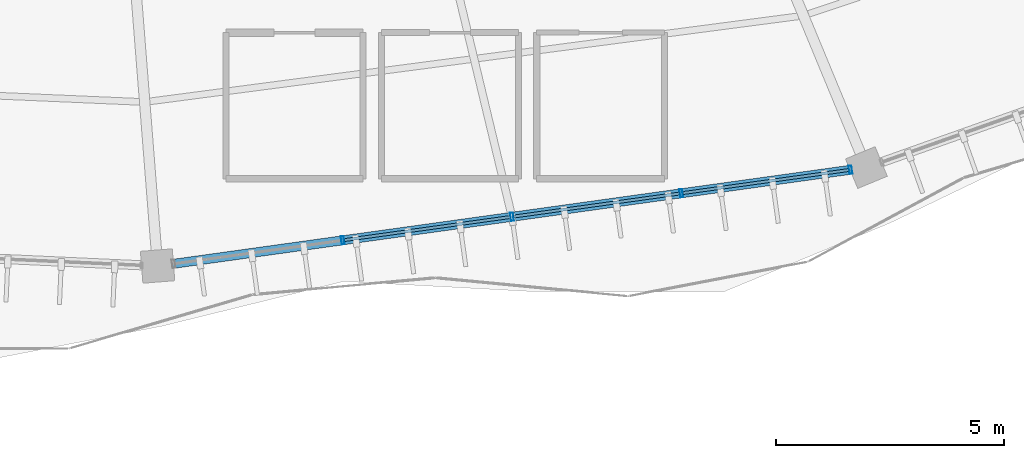
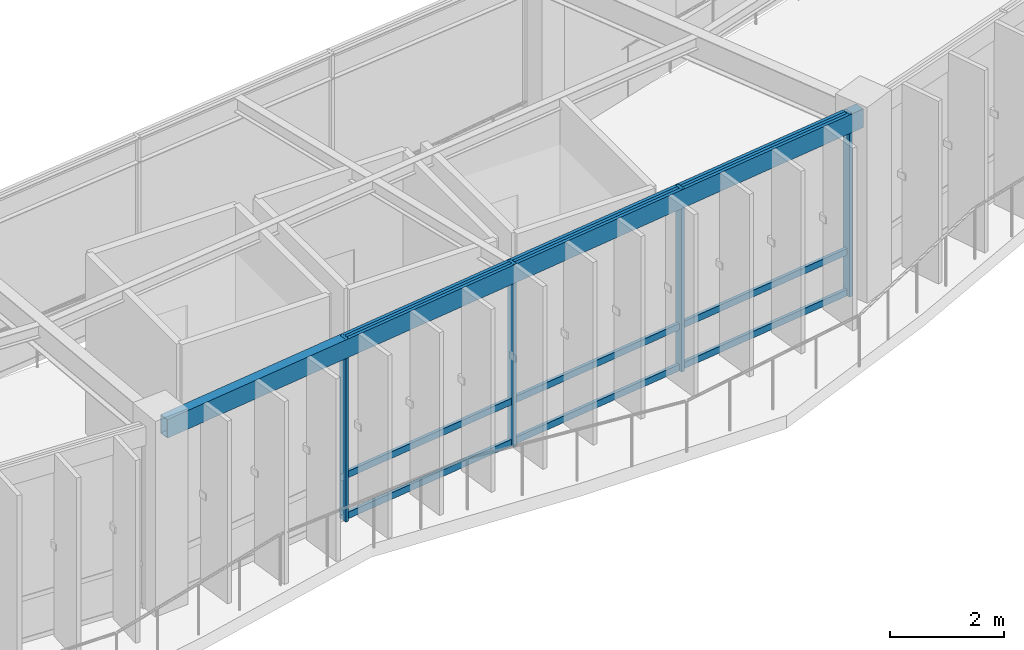
# One storey, part 30 of 138: 13 members, 1 beam, 1 element without a shape of its own.
"""IFC4 building model written with IfcOpenShell, lengths in metres."""

from ifc_helpers import new_model, si_unit, direction, frame, origin, origin_2d, place, context, subcontext, project, spatial, hollow_rectangle, extrude, material, material_profile, profile_set, type_object, element, aggregate, save


model = new_model("IFC4")

# Units and contexts
model_context = context("Model", 3, precision=1e-05, world=origin(), true_north=direction((0.0, 1.0)))
body_context = subcontext(model_context, "Body", "Model", "MODEL_VIEW")
ifc_project = project(units=[si_unit("LENGTHUNIT", "METRE"), si_unit("AREAUNIT", "SQUARE_METRE"), si_unit("VOLUMEUNIT", "CUBIC_METRE"), si_unit("PLANEANGLEUNIT", "RADIAN"), si_unit("MASSUNIT", "GRAM", prefix="KILO"), si_unit("THERMODYNAMICTEMPERATUREUNIT", "KELVIN"), si_unit("POWERUNIT", "WATT")], contexts=[model_context])

# Site, building, storey
site_placement = place(None, origin())
site = spatial("IfcSite", under=ifc_project, at=site_placement, CompositionType="ELEMENT")
building_placement = place(site_placement, origin())
building = spatial("IfcBuilding", under=site, at=building_placement, Name="Darbajah Civic Hall", CompositionType="ELEMENT")
storey_placement = place(building_placement, frame((0.0, 0.0, 9.60009765625)))
storey = spatial("IfcBuildingStorey", under=building, at=storey_placement, Name="L02", CompositionType="ELEMENT", Elevation=9.60009765625)

# Curtain wall, members
ifc_material_1 = material(Name="Anodised Bronze Aluminium and Low-E Glazing", Category="aluminium")
curtain_wall_type = type_object("IfcCurtainWallType", Name="Unitised Curtain Wall CW-49 15000x3900", PredefinedType="USERDEFINED", material=ifc_material_1)
curtain_wall_placement = place(storey_placement, origin())
curtain_wall = element("IfcCurtainWall", 1, at=curtain_wall_placement, inside=storey, type_object=curtain_wall_type, Name="L02 unitised curtain wall CW-V1O-L02-15", ObjectType="UNITISED CURTAIN WALL", PredefinedType="USERDEFINED")
ifc_material_2 = material(Name="Anodised Bronze Aluminium", Category="aluminium")
ifc_material_profile_1 = material_profile(ifc_material_2, hollow_rectangle(XDim=0.06494140625, YDim=0.179931640625, WallThickness=0.00390625, at=origin_2d()), Name="ALU MULLION 65x180")
ifc_profile_set_1 = profile_set([ifc_material_profile_1], Name="Anodised Bronze Aluminium")
member_type_1 = type_object("IfcMemberType", Name="ALU MULLION 65x180", PredefinedType="MULLION", material=ifc_profile_set_1)
member_1_placement = place(storey_placement, frame((97.154541015625, 60.953857421875, 0.0), z_axis=(0.0, 0.0, 1.0), x_axis=(0.990485459553, 0.137617420457, 0.0)))
member_1 = element("IfcMember", 2, at=member_1_placement, type_object=member_type_1, Name="CW-V1O-L02-15 mullion 2", PredefinedType="MULLION", context=body_context, shape_type="SweptSolid", body=[
    extrude(hollow_rectangle(XDim=0.06494140625, YDim=0.179931640625, WallThickness=0.00390625, at=origin_2d()), origin(), (0.0, 0.0, 1.0), 3.919921875),
])
member_2_placement = place(storey_placement, frame((100.859130859375, 61.46826171875, 0.0), z_axis=(0.0, 0.0, 1.0), x_axis=(0.990485459553, 0.137617420457, 0.0)))
member_2 = element("IfcMember", 3, at=member_2_placement, type_object=member_type_1, Name="CW-V1O-L02-15 mullion 3", PredefinedType="MULLION", context=body_context, shape_type="SweptSolid", body=[
    extrude(hollow_rectangle(XDim=0.06494140625, YDim=0.179931640625, WallThickness=0.00390625, at=origin_2d()), origin(), (0.0, 0.0, 1.0), 3.919921875),
])
member_3_placement = place(storey_placement, frame((104.563720703125, 61.982666015625, 0.0), z_axis=(0.0, 0.0, 1.0), x_axis=(0.990485459553, 0.137617420457, 0.0)))
member_3 = element("IfcMember", 4, at=member_3_placement, type_object=member_type_1, Name="CW-V1O-L02-15 mullion 4", PredefinedType="MULLION", context=body_context, shape_type="SweptSolid", body=[
    extrude(hollow_rectangle(XDim=0.06494140625, YDim=0.179931640625, WallThickness=0.00390625, at=origin_2d()), origin(), (0.0, 0.0, 1.0), 3.919921875),
])
member_4_placement = place(storey_placement, frame((108.268310546875, 62.497314453125, 0.0), z_axis=(0.0, 0.0, 1.0), x_axis=(0.990485459553, 0.137617420457, 0.0)))
member_4 = element("IfcMember", 5, at=member_4_placement, type_object=member_type_1, Name="CW-V1O-L02-15 mullion 5", PredefinedType="MULLION", context=body_context, shape_type="SweptSolid", body=[
    extrude(hollow_rectangle(XDim=0.06494140625, YDim=0.179931640625, WallThickness=0.00390625, at=origin_2d()), origin(), (0.0, 0.0, 1.0), 3.919921875),
])
ifc_material_profile_2 = material_profile(ifc_material_2, hollow_rectangle(XDim=0.06494140625, YDim=0.139892578125, WallThickness=0.00341796875, at=origin_2d()), Name="ALU TRANSOM 65x140")
ifc_profile_set_2 = profile_set([ifc_material_profile_2], Name="Anodised Bronze Aluminium")
member_type_2 = type_object("IfcMemberType", Name="ALU TRANSOM 65x140", PredefinedType="USERDEFINED", material=ifc_profile_set_2)
member_5_placement = place(storey_placement, frame((97.19189453125, 60.958984375, 0.06982421875), z_axis=(0.990493533823, 0.137559294327, 0.0), x_axis=(-0.137559294327, 0.990493533823, 0.0)))
member_5 = element("IfcMember", 6, at=member_5_placement, type_object=member_type_2, Name="CW-V1O-L02-15 transom 2.1", ObjectType="TRANSOM", PredefinedType="USERDEFINED", context=body_context, shape_type="SweptSolid", body=[
    extrude(hollow_rectangle(XDim=0.06494140625, YDim=0.139892578125, WallThickness=0.00341796875, at=origin_2d()), origin(), (0.0, 0.0, 1.0), 3.6650390625),
])
member_6_placement = place(storey_placement, frame((97.19189453125, 60.958984375, 0.949951171875), z_axis=(0.990493533823, 0.137559294327, 0.0), x_axis=(-0.137559294327, 0.990493533823, 0.0)))
member_6 = element("IfcMember", 7, at=member_6_placement, type_object=member_type_2, Name="CW-V1O-L02-15 transom 2.2", ObjectType="TRANSOM", PredefinedType="USERDEFINED", context=body_context, shape_type="SweptSolid", body=[
    extrude(hollow_rectangle(XDim=0.06494140625, YDim=0.139892578125, WallThickness=0.00341796875, at=origin_2d()), origin(), (0.0, 0.0, 1.0), 3.6650390625),
])
member_7_placement = place(storey_placement, frame((97.19189453125, 60.958984375, 3.849853515625), z_axis=(0.990493533823, 0.137559294327, 0.0), x_axis=(-0.137559294327, 0.990493533823, 0.0)))
member_7 = element("IfcMember", 8, at=member_7_placement, type_object=member_type_2, Name="CW-V1O-L02-15 transom 2.3", ObjectType="TRANSOM", PredefinedType="USERDEFINED", context=body_context, shape_type="SweptSolid", body=[
    extrude(hollow_rectangle(XDim=0.06494140625, YDim=0.139892578125, WallThickness=0.00341796875, at=origin_2d()), origin(), (0.0, 0.0, 1.0), 3.6650390625),
])
member_8_placement = place(storey_placement, frame((100.896240234375, 61.473388671875, 0.06982421875), z_axis=(0.990494794218, 0.137550218565, 0.0), x_axis=(-0.137550218565, 0.990494794218, 0.0)))
member_8 = element("IfcMember", 9, at=member_8_placement, type_object=member_type_2, Name="CW-V1O-L02-15 transom 3.1", ObjectType="TRANSOM", PredefinedType="USERDEFINED", context=body_context, shape_type="SweptSolid", body=[
    extrude(hollow_rectangle(XDim=0.06494140625, YDim=0.139892578125, WallThickness=0.00341796875, at=origin_2d()), origin(), (0.0, 0.0, 1.0), 3.665283203125),
])
member_9_placement = place(storey_placement, frame((100.896240234375, 61.473388671875, 0.949951171875), z_axis=(0.990494794218, 0.137550218565, 0.0), x_axis=(-0.137550218565, 0.990494794218, 0.0)))
member_9 = element("IfcMember", 10, at=member_9_placement, type_object=member_type_2, Name="CW-V1O-L02-15 transom 3.2", ObjectType="TRANSOM", PredefinedType="USERDEFINED", context=body_context, shape_type="SweptSolid", body=[
    extrude(hollow_rectangle(XDim=0.06494140625, YDim=0.139892578125, WallThickness=0.00341796875, at=origin_2d()), origin(), (0.0, 0.0, 1.0), 3.665283203125),
])
member_10_placement = place(storey_placement, frame((100.896240234375, 61.473388671875, 3.849853515625), z_axis=(0.990494794218, 0.137550218565, 0.0), x_axis=(-0.137550218565, 0.990494794218, 0.0)))
member_10 = element("IfcMember", 11, at=member_10_placement, type_object=member_type_2, Name="CW-V1O-L02-15 transom 3.3", ObjectType="TRANSOM", PredefinedType="USERDEFINED", context=body_context, shape_type="SweptSolid", body=[
    extrude(hollow_rectangle(XDim=0.06494140625, YDim=0.139892578125, WallThickness=0.00341796875, at=origin_2d()), origin(), (0.0, 0.0, 1.0), 3.665283203125),
])
member_11_placement = place(storey_placement, frame((104.600830078125, 61.98779296875, 0.06982421875), z_axis=(0.990494794218, 0.137550218565, 0.0), x_axis=(-0.137550218565, 0.990494794218, 0.0)))
member_11 = element("IfcMember", 12, at=member_11_placement, type_object=member_type_2, Name="CW-V1O-L02-15 transom 4.1", ObjectType="TRANSOM", PredefinedType="USERDEFINED", context=body_context, shape_type="SweptSolid", body=[
    extrude(hollow_rectangle(XDim=0.06494140625, YDim=0.139892578125, WallThickness=0.00341796875, at=origin_2d()), origin(), (0.0, 0.0, 1.0), 3.665283203125),
])
member_12_placement = place(storey_placement, frame((104.600830078125, 61.98779296875, 0.949951171875), z_axis=(0.990494794218, 0.137550218565, 0.0), x_axis=(-0.137550218565, 0.990494794218, 0.0)))
member_12 = element("IfcMember", 13, at=member_12_placement, type_object=member_type_2, Name="CW-V1O-L02-15 transom 4.2", ObjectType="TRANSOM", PredefinedType="USERDEFINED", context=body_context, shape_type="SweptSolid", body=[
    extrude(hollow_rectangle(XDim=0.06494140625, YDim=0.139892578125, WallThickness=0.00341796875, at=origin_2d()), origin(), (0.0, 0.0, 1.0), 3.665283203125),
])
member_13_placement = place(storey_placement, frame((104.600830078125, 61.98779296875, 3.849853515625), z_axis=(0.990494794218, 0.137550218565, 0.0), x_axis=(-0.137550218565, 0.990494794218, 0.0)))
member_13 = element("IfcMember", 14, at=member_13_placement, type_object=member_type_2, Name="CW-V1O-L02-15 transom 4.3", ObjectType="TRANSOM", PredefinedType="USERDEFINED", context=body_context, shape_type="SweptSolid", body=[
    extrude(hollow_rectangle(XDim=0.06494140625, YDim=0.139892578125, WallThickness=0.00341796875, at=origin_2d()), origin(), (0.0, 0.0, 1.0), 3.665283203125),
])
aggregate(curtain_wall, [member_1, member_2, member_3, member_4, member_5, member_6, member_7, member_8, member_9, member_10, member_11, member_12, member_13])

# Beam
ifc_material_3 = material(Name="Steel S355JR", Category="steel")
ifc_material_profile_3 = material_profile(ifc_material_3, hollow_rectangle(XDim=0.199951171875, YDim=0.39990234375, WallThickness=0.013916015625, at=origin_2d()), Name="RHS 400x200x14")
ifc_profile_set_3 = profile_set([ifc_material_profile_3], Name="Steel S355JR")
beam_type = type_object("IfcBeamType", Name="RHS 400x200x14", PredefinedType="SPANDREL", material=ifc_profile_set_3)
beam_placement = place(storey_placement, frame((93.1806640625, 60.40185546875, 3.719970703125), z_axis=(0.990493107575, 0.137562363482, 0.0), x_axis=(-0.137562363482, 0.990493107575, 0.0)))
element("IfcBeam", 15, at=beam_placement, inside=storey, type_object=beam_type, Name="L02 beam SP-RHS400", PredefinedType="SPANDREL", context=body_context, shape_type="SweptSolid", body=[
    extrude(hollow_rectangle(XDim=0.199951171875, YDim=0.39990234375, WallThickness=0.013916015625, at=origin_2d()), origin(), (0.0, 0.0, 1.0), 15.50439453125),
])

save(model, "model.ifc")
